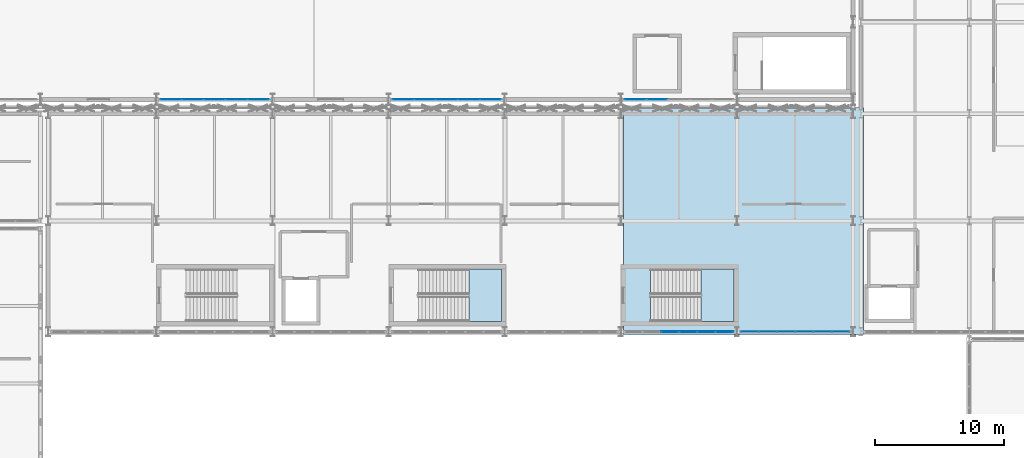
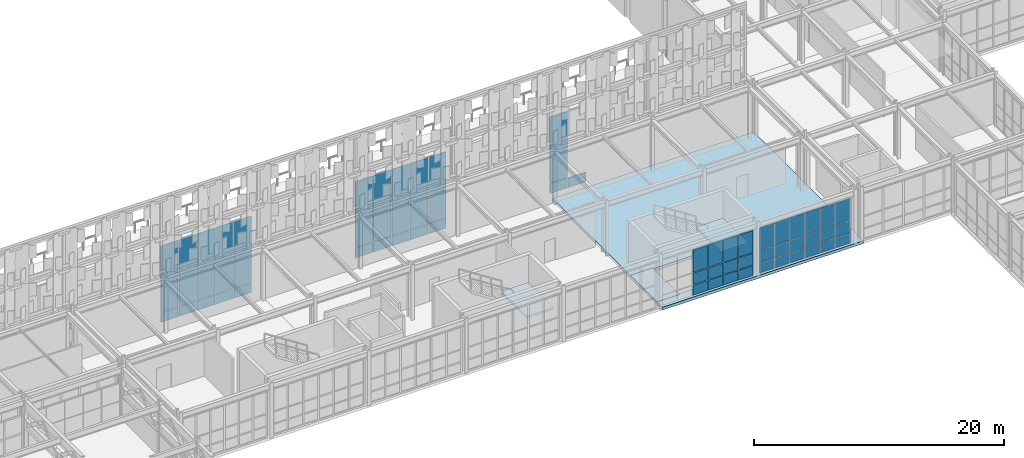
# One storey, part 138 of 210: 64 plates, 4 slabs, 7 elements without a shape of their own.
"""IFC4 building model written with IfcOpenShell, lengths in metres."""

from ifc_helpers import new_model, si_unit, direction, frame, origin, origin_2d, place, context, subcontext, project, spatial, polyline, rectangle, outline, extrude, material, layer, layer_set, type_object, element, aggregate, save


model = new_model("IFC4")

# Units and contexts
model_context = context("Model", 3, precision=1e-05, world=origin(), true_north=direction((0.0, 1.0)))
body_context = subcontext(model_context, "Body", "Model", "MODEL_VIEW")
ifc_project = project(units=[si_unit("LENGTHUNIT", "METRE"), si_unit("AREAUNIT", "SQUARE_METRE"), si_unit("VOLUMEUNIT", "CUBIC_METRE"), si_unit("PLANEANGLEUNIT", "RADIAN"), si_unit("MASSUNIT", "GRAM", prefix="KILO")], contexts=[model_context])

# Site, building, storey
site_placement = place(None, origin())
site = spatial("IfcSite", under=ifc_project, at=site_placement, CompositionType="ELEMENT")
building_placement = place(site_placement, origin())
building = spatial("IfcBuilding", under=site, at=building_placement, Name="Kaldris Quays Convention Centre", CompositionType="ELEMENT")
storey_placement = place(building_placement, frame((0.0, 0.0, 6.0)))
storey = spatial("IfcBuildingStorey", under=building, at=storey_placement, Name="L01", CompositionType="ELEMENT", Elevation=6.0)

# Curtain wall, plates
ifc_material_1 = material(Name="Anodized aluminium AW-6060 and triple glazing", Category="aluminium")
curtain_wall_type_1 = type_object("IfcCurtainWallType", Name="UNITISED CURTAIN WALL CW03", PredefinedType="NOTDEFINED", material=ifc_material_1)
curtain_wall_1_placement = place(storey_placement, origin())
curtain_wall_1 = element("IfcCurtainWall", 1, at=curtain_wall_1_placement, inside=storey, type_object=curtain_wall_type_1, Name="L01 Unitised Curtain Wall CW03 9", PredefinedType="NOTDEFINED")
ifc_material_2 = material(Name="Triple low-E insulated glazing", Category="glass")
plate_type_1 = type_object("IfcPlateType", Name="CURTAIN GLAZING PANEL CWP1", PredefinedType="CURTAIN_PANEL", material=ifc_material_2)
plate_1_placement = place(storey_placement, frame((93.114990234375, 56.0, 0.06005859375), z_axis=(0.0, 0.0, 1.0), x_axis=(1.0, 0.0, 0.0)))
plate_1 = element("IfcPlate", 2, at=plate_1_placement, type_object=plate_type_1, Name="CW03 panel 1.1", PredefinedType="CURTAIN_PANEL", context=body_context, shape_type="SweptSolid", body=[
    extrude(rectangle(XDim=1.610107421875, YDim=0.029052734375, at=origin_2d()), origin(), (0.0, 0.0, 1.0), 0.9599609375),
])
plate_2_placement = place(storey_placement, frame((93.114990234375, 56.0, 1.080078125), z_axis=(0.0, 0.0, 1.0), x_axis=(1.0, 0.0, 0.0)))
plate_2 = element("IfcPlate", 3, at=plate_2_placement, type_object=plate_type_1, Name="CW03 panel 1.2", PredefinedType="CURTAIN_PANEL", context=body_context, shape_type="SweptSolid", body=[
    extrude(rectangle(XDim=1.610107421875, YDim=0.029052734375, at=origin_2d()), origin(), (0.0, 0.0, 1.0), 2.68994140625),
])
plate_3_placement = place(storey_placement, frame((93.114990234375, 56.0, 3.830078125), z_axis=(0.0, 0.0, 1.0), x_axis=(1.0, 0.0, 0.0)))
plate_3 = element("IfcPlate", 4, at=plate_3_placement, type_object=plate_type_1, Name="CW03 panel 1.3", PredefinedType="CURTAIN_PANEL", context=body_context, shape_type="SweptSolid", body=[
    extrude(rectangle(XDim=1.610107421875, YDim=0.029052734375, at=origin_2d()), origin(), (0.0, 0.0, 1.0), 3.7099609375),
])
plate_4_placement = place(storey_placement, frame((94.800048828125, 56.0, 0.06005859375), z_axis=(0.0, 0.0, 1.0), x_axis=(1.0, 0.0, 0.0)))
plate_4 = element("IfcPlate", 5, at=plate_4_placement, type_object=plate_type_1, Name="CW03 panel 2.1", PredefinedType="CURTAIN_PANEL", context=body_context, shape_type="SweptSolid", body=[
    extrude(rectangle(XDim=1.639892578125, YDim=0.029052734375, at=origin_2d()), origin(), (0.0, 0.0, 1.0), 0.9599609375),
])
plate_5_placement = place(storey_placement, frame((94.800048828125, 56.0, 1.080078125), z_axis=(0.0, 0.0, 1.0), x_axis=(1.0, 0.0, 0.0)))
plate_5 = element("IfcPlate", 6, at=plate_5_placement, type_object=plate_type_1, Name="CW03 panel 2.2", PredefinedType="CURTAIN_PANEL", context=body_context, shape_type="SweptSolid", body=[
    extrude(rectangle(XDim=1.639892578125, YDim=0.029052734375, at=origin_2d()), origin(), (0.0, 0.0, 1.0), 2.68994140625),
])
plate_6_placement = place(storey_placement, frame((94.800048828125, 56.0, 3.830078125), z_axis=(0.0, 0.0, 1.0), x_axis=(1.0, 0.0, 0.0)))
plate_6 = element("IfcPlate", 7, at=plate_6_placement, type_object=plate_type_1, Name="CW03 panel 2.3", PredefinedType="CURTAIN_PANEL", context=body_context, shape_type="SweptSolid", body=[
    extrude(rectangle(XDim=1.639892578125, YDim=0.029052734375, at=origin_2d()), origin(), (0.0, 0.0, 1.0), 3.7099609375),
])
plate_7_placement = place(storey_placement, frame((96.5, 56.0, 0.06005859375), z_axis=(0.0, 0.0, 1.0), x_axis=(1.0, 0.0, 0.0)))
plate_7 = element("IfcPlate", 8, at=plate_7_placement, type_object=plate_type_1, Name="CW03 panel 3.1", PredefinedType="CURTAIN_PANEL", context=body_context, shape_type="SweptSolid", body=[
    extrude(rectangle(XDim=1.639892578125, YDim=0.029052734375, at=origin_2d()), origin(), (0.0, 0.0, 1.0), 0.9599609375),
])
plate_8_placement = place(storey_placement, frame((96.5, 56.0, 1.080078125), z_axis=(0.0, 0.0, 1.0), x_axis=(1.0, 0.0, 0.0)))
plate_8 = element("IfcPlate", 9, at=plate_8_placement, type_object=plate_type_1, Name="CW03 panel 3.2", PredefinedType="CURTAIN_PANEL", context=body_context, shape_type="SweptSolid", body=[
    extrude(rectangle(XDim=1.639892578125, YDim=0.029052734375, at=origin_2d()), origin(), (0.0, 0.0, 1.0), 2.68994140625),
])
plate_9_placement = place(storey_placement, frame((96.5, 56.0, 3.830078125), z_axis=(0.0, 0.0, 1.0), x_axis=(1.0, 0.0, 0.0)))
plate_9 = element("IfcPlate", 10, at=plate_9_placement, type_object=plate_type_1, Name="CW03 panel 3.3", PredefinedType="CURTAIN_PANEL", context=body_context, shape_type="SweptSolid", body=[
    extrude(rectangle(XDim=1.639892578125, YDim=0.029052734375, at=origin_2d()), origin(), (0.0, 0.0, 1.0), 3.7099609375),
])
plate_10_placement = place(storey_placement, frame((98.199951171875, 56.0, 0.06005859375), z_axis=(0.0, 0.0, 1.0), x_axis=(1.0, 0.0, 0.0)))
plate_10 = element("IfcPlate", 11, at=plate_10_placement, type_object=plate_type_1, Name="CW03 panel 4.1", PredefinedType="CURTAIN_PANEL", context=body_context, shape_type="SweptSolid", body=[
    extrude(rectangle(XDim=1.639892578125, YDim=0.029052734375, at=origin_2d()), origin(), (0.0, 0.0, 1.0), 0.9599609375),
])
plate_11_placement = place(storey_placement, frame((98.199951171875, 56.0, 1.080078125), z_axis=(0.0, 0.0, 1.0), x_axis=(1.0, 0.0, 0.0)))
plate_11 = element("IfcPlate", 12, at=plate_11_placement, type_object=plate_type_1, Name="CW03 panel 4.2", PredefinedType="CURTAIN_PANEL", context=body_context, shape_type="SweptSolid", body=[
    extrude(rectangle(XDim=1.639892578125, YDim=0.029052734375, at=origin_2d()), origin(), (0.0, 0.0, 1.0), 2.68994140625),
])
plate_12_placement = place(storey_placement, frame((98.199951171875, 56.0, 3.830078125), z_axis=(0.0, 0.0, 1.0), x_axis=(1.0, 0.0, 0.0)))
plate_12 = element("IfcPlate", 13, at=plate_12_placement, type_object=plate_type_1, Name="CW03 panel 4.3", PredefinedType="CURTAIN_PANEL", context=body_context, shape_type="SweptSolid", body=[
    extrude(rectangle(XDim=1.639892578125, YDim=0.029052734375, at=origin_2d()), origin(), (0.0, 0.0, 1.0), 3.7099609375),
])
plate_13_placement = place(storey_placement, frame((99.885009765625, 56.0, 0.06005859375), z_axis=(0.0, 0.0, 1.0), x_axis=(1.0, 0.0, 0.0)))
plate_13 = element("IfcPlate", 14, at=plate_13_placement, type_object=plate_type_1, Name="CW03 panel 5.1", PredefinedType="CURTAIN_PANEL", context=body_context, shape_type="SweptSolid", body=[
    extrude(rectangle(XDim=1.610107421875, YDim=0.029052734375, at=origin_2d()), origin(), (0.0, 0.0, 1.0), 0.9599609375),
])
plate_14_placement = place(storey_placement, frame((99.885009765625, 56.0, 1.080078125), z_axis=(0.0, 0.0, 1.0), x_axis=(1.0, 0.0, 0.0)))
plate_14 = element("IfcPlate", 15, at=plate_14_placement, type_object=plate_type_1, Name="CW03 panel 5.2", PredefinedType="CURTAIN_PANEL", context=body_context, shape_type="SweptSolid", body=[
    extrude(rectangle(XDim=1.610107421875, YDim=0.029052734375, at=origin_2d()), origin(), (0.0, 0.0, 1.0), 2.68994140625),
])
plate_15_placement = place(storey_placement, frame((99.885009765625, 56.0, 3.830078125), z_axis=(0.0, 0.0, 1.0), x_axis=(1.0, 0.0, 0.0)))
plate_15 = element("IfcPlate", 16, at=plate_15_placement, type_object=plate_type_1, Name="CW03 panel 5.3", PredefinedType="CURTAIN_PANEL", context=body_context, shape_type="SweptSolid", body=[
    extrude(rectangle(XDim=1.610107421875, YDim=0.029052734375, at=origin_2d()), origin(), (0.0, 0.0, 1.0), 3.7099609375),
])
aggregate(curtain_wall_1, [plate_1, plate_2, plate_3, plate_4, plate_5, plate_6, plate_7, plate_8, plate_9, plate_10, plate_11, plate_12, plate_13, plate_14, plate_15])

curtain_wall_type_2 = type_object("IfcCurtainWallType", Name="UNITISED CURTAIN WALL CW04", PredefinedType="NOTDEFINED", material=ifc_material_1)
curtain_wall_2_placement = place(storey_placement, origin())
curtain_wall_2 = element("IfcCurtainWall", 17, at=curtain_wall_2_placement, inside=storey, type_object=curtain_wall_type_2, Name="L01 Unitised Curtain Wall CW04 113", PredefinedType="NOTDEFINED")
plate_16_placement = place(storey_placement, frame((137.973388671875, 38.0, 0.06005859375), z_axis=(0.0, 0.0, 1.0), x_axis=(1.0, 0.0, 0.0)))
plate_16 = element("IfcPlate", 18, at=plate_16_placement, type_object=plate_type_1, Name="CW04 panel 1.1", PredefinedType="CURTAIN_PANEL", context=body_context, shape_type="SweptSolid", body=[
    extrude(rectangle(XDim=1.32666015625, YDim=0.029052734375, at=origin_2d()), origin(), (0.0, 0.0, 1.0), 0.9599609375),
])
plate_17_placement = place(storey_placement, frame((137.973388671875, 38.0, 1.080078125), z_axis=(0.0, 0.0, 1.0), x_axis=(1.0, 0.0, 0.0)))
plate_17 = element("IfcPlate", 19, at=plate_17_placement, type_object=plate_type_1, Name="CW04 panel 1.2", PredefinedType="CURTAIN_PANEL", context=body_context, shape_type="SweptSolid", body=[
    extrude(rectangle(XDim=1.32666015625, YDim=0.029052734375, at=origin_2d()), origin(), (0.0, 0.0, 1.0), 1.14892578125),
])
plate_18_placement = place(storey_placement, frame((137.973388671875, 38.0, 2.2890625), z_axis=(0.0, 0.0, 1.0), x_axis=(1.0, 0.0, 0.0)))
plate_18 = element("IfcPlate", 20, at=plate_18_placement, type_object=plate_type_1, Name="CW04 panel 1.3", PredefinedType="CURTAIN_PANEL", context=body_context, shape_type="SweptSolid", body=[
    extrude(rectangle(XDim=1.32666015625, YDim=0.029052734375, at=origin_2d()), origin(), (0.0, 0.0, 1.0), 2.1689453125),
])
plate_19_placement = place(storey_placement, frame((139.375, 38.0, 0.06005859375), z_axis=(0.0, 0.0, 1.0), x_axis=(1.0, 0.0, 0.0)))
plate_19 = element("IfcPlate", 21, at=plate_19_placement, type_object=plate_type_1, Name="CW04 panel 2.1", PredefinedType="CURTAIN_PANEL", context=body_context, shape_type="SweptSolid", body=[
    extrude(rectangle(XDim=1.356689453125, YDim=0.029052734375, at=origin_2d()), origin(), (0.0, 0.0, 1.0), 0.9599609375),
])
plate_20_placement = place(storey_placement, frame((139.375, 38.0, 1.080078125), z_axis=(0.0, 0.0, 1.0), x_axis=(1.0, 0.0, 0.0)))
plate_20 = element("IfcPlate", 22, at=plate_20_placement, type_object=plate_type_1, Name="CW04 panel 2.2", PredefinedType="CURTAIN_PANEL", context=body_context, shape_type="SweptSolid", body=[
    extrude(rectangle(XDim=1.356689453125, YDim=0.029052734375, at=origin_2d()), origin(), (0.0, 0.0, 1.0), 1.14892578125),
])
plate_21_placement = place(storey_placement, frame((139.375, 38.0, 2.2890625), z_axis=(0.0, 0.0, 1.0), x_axis=(1.0, 0.0, 0.0)))
plate_21 = element("IfcPlate", 23, at=plate_21_placement, type_object=plate_type_1, Name="CW04 panel 2.3", PredefinedType="CURTAIN_PANEL", context=body_context, shape_type="SweptSolid", body=[
    extrude(rectangle(XDim=1.356689453125, YDim=0.029052734375, at=origin_2d()), origin(), (0.0, 0.0, 1.0), 2.1689453125),
])
plate_22_placement = place(storey_placement, frame((140.791748046875, 38.0, 0.06005859375), z_axis=(0.0, 0.0, 1.0), x_axis=(1.0, 0.0, 0.0)))
plate_22 = element("IfcPlate", 24, at=plate_22_placement, type_object=plate_type_1, Name="CW04 panel 3.1", PredefinedType="CURTAIN_PANEL", context=body_context, shape_type="SweptSolid", body=[
    extrude(rectangle(XDim=1.356689453125, YDim=0.029052734375, at=origin_2d()), origin(), (0.0, 0.0, 1.0), 0.9599609375),
])
plate_23_placement = place(storey_placement, frame((140.791748046875, 38.0, 1.080078125), z_axis=(0.0, 0.0, 1.0), x_axis=(1.0, 0.0, 0.0)))
plate_23 = element("IfcPlate", 25, at=plate_23_placement, type_object=plate_type_1, Name="CW04 panel 3.2", PredefinedType="CURTAIN_PANEL", context=body_context, shape_type="SweptSolid", body=[
    extrude(rectangle(XDim=1.356689453125, YDim=0.029052734375, at=origin_2d()), origin(), (0.0, 0.0, 1.0), 1.14892578125),
])
plate_24_placement = place(storey_placement, frame((140.791748046875, 38.0, 2.2890625), z_axis=(0.0, 0.0, 1.0), x_axis=(1.0, 0.0, 0.0)))
plate_24 = element("IfcPlate", 26, at=plate_24_placement, type_object=plate_type_1, Name="CW04 panel 3.3", PredefinedType="CURTAIN_PANEL", context=body_context, shape_type="SweptSolid", body=[
    extrude(rectangle(XDim=1.356689453125, YDim=0.029052734375, at=origin_2d()), origin(), (0.0, 0.0, 1.0), 2.1689453125),
])
plate_25_placement = place(storey_placement, frame((142.208251953125, 38.0, 0.06005859375), z_axis=(0.0, 0.0, 1.0), x_axis=(1.0, 0.0, 0.0)))
plate_25 = element("IfcPlate", 27, at=plate_25_placement, type_object=plate_type_1, Name="CW04 panel 4.1", PredefinedType="CURTAIN_PANEL", context=body_context, shape_type="SweptSolid", body=[
    extrude(rectangle(XDim=1.356689453125, YDim=0.029052734375, at=origin_2d()), origin(), (0.0, 0.0, 1.0), 0.9599609375),
])
plate_26_placement = place(storey_placement, frame((142.208251953125, 38.0, 1.080078125), z_axis=(0.0, 0.0, 1.0), x_axis=(1.0, 0.0, 0.0)))
plate_26 = element("IfcPlate", 28, at=plate_26_placement, type_object=plate_type_1, Name="CW04 panel 4.2", PredefinedType="CURTAIN_PANEL", context=body_context, shape_type="SweptSolid", body=[
    extrude(rectangle(XDim=1.356689453125, YDim=0.029052734375, at=origin_2d()), origin(), (0.0, 0.0, 1.0), 1.14892578125),
])
plate_27_placement = place(storey_placement, frame((142.208251953125, 38.0, 2.2890625), z_axis=(0.0, 0.0, 1.0), x_axis=(1.0, 0.0, 0.0)))
plate_27 = element("IfcPlate", 29, at=plate_27_placement, type_object=plate_type_1, Name="CW04 panel 4.3", PredefinedType="CURTAIN_PANEL", context=body_context, shape_type="SweptSolid", body=[
    extrude(rectangle(XDim=1.356689453125, YDim=0.029052734375, at=origin_2d()), origin(), (0.0, 0.0, 1.0), 2.1689453125),
])
plate_28_placement = place(storey_placement, frame((143.625, 38.0, 0.06005859375), z_axis=(0.0, 0.0, 1.0), x_axis=(1.0, 0.0, 0.0)))
plate_28 = element("IfcPlate", 30, at=plate_28_placement, type_object=plate_type_1, Name="CW04 panel 5.1", PredefinedType="CURTAIN_PANEL", context=body_context, shape_type="SweptSolid", body=[
    extrude(rectangle(XDim=1.356689453125, YDim=0.029052734375, at=origin_2d()), origin(), (0.0, 0.0, 1.0), 0.9599609375),
])
plate_29_placement = place(storey_placement, frame((143.625, 38.0, 1.080078125), z_axis=(0.0, 0.0, 1.0), x_axis=(1.0, 0.0, 0.0)))
plate_29 = element("IfcPlate", 31, at=plate_29_placement, type_object=plate_type_1, Name="CW04 panel 5.2", PredefinedType="CURTAIN_PANEL", context=body_context, shape_type="SweptSolid", body=[
    extrude(rectangle(XDim=1.356689453125, YDim=0.029052734375, at=origin_2d()), origin(), (0.0, 0.0, 1.0), 1.14892578125),
])
plate_30_placement = place(storey_placement, frame((143.625, 38.0, 2.2890625), z_axis=(0.0, 0.0, 1.0), x_axis=(1.0, 0.0, 0.0)))
plate_30 = element("IfcPlate", 32, at=plate_30_placement, type_object=plate_type_1, Name="CW04 panel 5.3", PredefinedType="CURTAIN_PANEL", context=body_context, shape_type="SweptSolid", body=[
    extrude(rectangle(XDim=1.356689453125, YDim=0.029052734375, at=origin_2d()), origin(), (0.0, 0.0, 1.0), 2.1689453125),
])
plate_31_placement = place(storey_placement, frame((145.026611328125, 38.0, 0.06005859375), z_axis=(0.0, 0.0, 1.0), x_axis=(1.0, 0.0, 0.0)))
plate_31 = element("IfcPlate", 33, at=plate_31_placement, type_object=plate_type_1, Name="CW04 panel 6.1", PredefinedType="CURTAIN_PANEL", context=body_context, shape_type="SweptSolid", body=[
    extrude(rectangle(XDim=1.32666015625, YDim=0.029052734375, at=origin_2d()), origin(), (0.0, 0.0, 1.0), 0.9599609375),
])
plate_32_placement = place(storey_placement, frame((145.026611328125, 38.0, 1.080078125), z_axis=(0.0, 0.0, 1.0), x_axis=(1.0, 0.0, 0.0)))
plate_32 = element("IfcPlate", 34, at=plate_32_placement, type_object=plate_type_1, Name="CW04 panel 6.2", PredefinedType="CURTAIN_PANEL", context=body_context, shape_type="SweptSolid", body=[
    extrude(rectangle(XDim=1.32666015625, YDim=0.029052734375, at=origin_2d()), origin(), (0.0, 0.0, 1.0), 1.14892578125),
])
plate_33_placement = place(storey_placement, frame((145.026611328125, 38.0, 2.2890625), z_axis=(0.0, 0.0, 1.0), x_axis=(1.0, 0.0, 0.0)))
plate_33 = element("IfcPlate", 35, at=plate_33_placement, type_object=plate_type_1, Name="CW04 panel 6.3", PredefinedType="CURTAIN_PANEL", context=body_context, shape_type="SweptSolid", body=[
    extrude(rectangle(XDim=1.32666015625, YDim=0.029052734375, at=origin_2d()), origin(), (0.0, 0.0, 1.0), 2.1689453125),
])
aggregate(curtain_wall_2, [plate_16, plate_17, plate_18, plate_19, plate_20, plate_21, plate_22, plate_23, plate_24, plate_25, plate_26, plate_27, plate_28, plate_29, plate_30, plate_31, plate_32, plate_33])

curtain_wall_3_placement = place(storey_placement, origin())
curtain_wall_3 = element("IfcCurtainWall", 36, at=curtain_wall_3_placement, inside=storey, type_object=curtain_wall_type_1, Name="L01 Unitised Curtain Wall CW03 11", PredefinedType="NOTDEFINED")
plate_type_2 = type_object("IfcPlateType", Name="CURTAIN GLAZING PANEL CWP3", PredefinedType="CURTAIN_PANEL", material=ifc_material_2)
plate_34_placement = place(storey_placement, frame((111.114990234375, 56.0, 0.06005859375), z_axis=(0.0, 0.0, 1.0), x_axis=(1.0, 0.0, 0.0)))
plate_34 = element("IfcPlate", 37, at=plate_34_placement, type_object=plate_type_2, Name="CW03 panel 1.1", PredefinedType="CURTAIN_PANEL", context=body_context, shape_type="SweptSolid", body=[
    extrude(rectangle(XDim=1.610107421875, YDim=0.0390625, at=origin_2d()), origin(), (0.0, 0.0, 1.0), 0.9599609375),
])
plate_35_placement = place(storey_placement, frame((111.114990234375, 56.0, 1.080078125), z_axis=(0.0, 0.0, 1.0), x_axis=(1.0, 0.0, 0.0)))
plate_35 = element("IfcPlate", 38, at=plate_35_placement, type_object=plate_type_2, Name="CW03 panel 1.2", PredefinedType="CURTAIN_PANEL", context=body_context, shape_type="SweptSolid", body=[
    extrude(rectangle(XDim=1.610107421875, YDim=0.0390625, at=origin_2d()), origin(), (0.0, 0.0, 1.0), 2.68994140625),
])
plate_36_placement = place(storey_placement, frame((111.114990234375, 56.0, 3.830078125), z_axis=(0.0, 0.0, 1.0), x_axis=(1.0, 0.0, 0.0)))
plate_36 = element("IfcPlate", 39, at=plate_36_placement, type_object=plate_type_2, Name="CW03 panel 1.3", PredefinedType="CURTAIN_PANEL", context=body_context, shape_type="SweptSolid", body=[
    extrude(rectangle(XDim=1.610107421875, YDim=0.0390625, at=origin_2d()), origin(), (0.0, 0.0, 1.0), 3.7099609375),
])
plate_37_placement = place(storey_placement, frame((112.800048828125, 56.0, 0.06005859375), z_axis=(0.0, 0.0, 1.0), x_axis=(1.0, 0.0, 0.0)))
plate_37 = element("IfcPlate", 40, at=plate_37_placement, type_object=plate_type_2, Name="CW03 panel 2.1", PredefinedType="CURTAIN_PANEL", context=body_context, shape_type="SweptSolid", body=[
    extrude(rectangle(XDim=1.639892578125, YDim=0.0390625, at=origin_2d()), origin(), (0.0, 0.0, 1.0), 0.9599609375),
])
plate_38_placement = place(storey_placement, frame((112.800048828125, 56.0, 1.080078125), z_axis=(0.0, 0.0, 1.0), x_axis=(1.0, 0.0, 0.0)))
plate_38 = element("IfcPlate", 41, at=plate_38_placement, type_object=plate_type_2, Name="CW03 panel 2.2", PredefinedType="CURTAIN_PANEL", context=body_context, shape_type="SweptSolid", body=[
    extrude(rectangle(XDim=1.639892578125, YDim=0.0390625, at=origin_2d()), origin(), (0.0, 0.0, 1.0), 2.68994140625),
])
plate_39_placement = place(storey_placement, frame((112.800048828125, 56.0, 3.830078125), z_axis=(0.0, 0.0, 1.0), x_axis=(1.0, 0.0, 0.0)))
plate_39 = element("IfcPlate", 42, at=plate_39_placement, type_object=plate_type_2, Name="CW03 panel 2.3", PredefinedType="CURTAIN_PANEL", context=body_context, shape_type="SweptSolid", body=[
    extrude(rectangle(XDim=1.639892578125, YDim=0.0390625, at=origin_2d()), origin(), (0.0, 0.0, 1.0), 3.7099609375),
])
plate_40_placement = place(storey_placement, frame((114.5, 56.0, 0.06005859375), z_axis=(0.0, 0.0, 1.0), x_axis=(1.0, 0.0, 0.0)))
plate_40 = element("IfcPlate", 43, at=plate_40_placement, type_object=plate_type_2, Name="CW03 panel 3.1", PredefinedType="CURTAIN_PANEL", context=body_context, shape_type="SweptSolid", body=[
    extrude(rectangle(XDim=1.639892578125, YDim=0.0390625, at=origin_2d()), origin(), (0.0, 0.0, 1.0), 0.9599609375),
])
plate_41_placement = place(storey_placement, frame((114.5, 56.0, 1.080078125), z_axis=(0.0, 0.0, 1.0), x_axis=(1.0, 0.0, 0.0)))
plate_41 = element("IfcPlate", 44, at=plate_41_placement, type_object=plate_type_2, Name="CW03 panel 3.2", PredefinedType="CURTAIN_PANEL", context=body_context, shape_type="SweptSolid", body=[
    extrude(rectangle(XDim=1.639892578125, YDim=0.0390625, at=origin_2d()), origin(), (0.0, 0.0, 1.0), 2.68994140625),
])
plate_42_placement = place(storey_placement, frame((114.5, 56.0, 3.830078125), z_axis=(0.0, 0.0, 1.0), x_axis=(1.0, 0.0, 0.0)))
plate_42 = element("IfcPlate", 45, at=plate_42_placement, type_object=plate_type_2, Name="CW03 panel 3.3", PredefinedType="CURTAIN_PANEL", context=body_context, shape_type="SweptSolid", body=[
    extrude(rectangle(XDim=1.639892578125, YDim=0.0390625, at=origin_2d()), origin(), (0.0, 0.0, 1.0), 3.7099609375),
])
plate_43_placement = place(storey_placement, frame((116.199951171875, 56.0, 0.06005859375), z_axis=(0.0, 0.0, 1.0), x_axis=(1.0, 0.0, 0.0)))
plate_43 = element("IfcPlate", 46, at=plate_43_placement, type_object=plate_type_2, Name="CW03 panel 4.1", PredefinedType="CURTAIN_PANEL", context=body_context, shape_type="SweptSolid", body=[
    extrude(rectangle(XDim=1.639892578125, YDim=0.0390625, at=origin_2d()), origin(), (0.0, 0.0, 1.0), 0.9599609375),
])
plate_44_placement = place(storey_placement, frame((116.199951171875, 56.0, 1.080078125), z_axis=(0.0, 0.0, 1.0), x_axis=(1.0, 0.0, 0.0)))
plate_44 = element("IfcPlate", 47, at=plate_44_placement, type_object=plate_type_2, Name="CW03 panel 4.2", PredefinedType="CURTAIN_PANEL", context=body_context, shape_type="SweptSolid", body=[
    extrude(rectangle(XDim=1.639892578125, YDim=0.0390625, at=origin_2d()), origin(), (0.0, 0.0, 1.0), 2.68994140625),
])
plate_45_placement = place(storey_placement, frame((116.199951171875, 56.0, 3.830078125), z_axis=(0.0, 0.0, 1.0), x_axis=(1.0, 0.0, 0.0)))
plate_45 = element("IfcPlate", 48, at=plate_45_placement, type_object=plate_type_2, Name="CW03 panel 4.3", PredefinedType="CURTAIN_PANEL", context=body_context, shape_type="SweptSolid", body=[
    extrude(rectangle(XDim=1.639892578125, YDim=0.0390625, at=origin_2d()), origin(), (0.0, 0.0, 1.0), 3.7099609375),
])
plate_46_placement = place(storey_placement, frame((117.885009765625, 56.0, 0.06005859375), z_axis=(0.0, 0.0, 1.0), x_axis=(1.0, 0.0, 0.0)))
plate_46 = element("IfcPlate", 49, at=plate_46_placement, type_object=plate_type_2, Name="CW03 panel 5.1", PredefinedType="CURTAIN_PANEL", context=body_context, shape_type="SweptSolid", body=[
    extrude(rectangle(XDim=1.610107421875, YDim=0.0390625, at=origin_2d()), origin(), (0.0, 0.0, 1.0), 0.9599609375),
])
plate_47_placement = place(storey_placement, frame((117.885009765625, 56.0, 1.080078125), z_axis=(0.0, 0.0, 1.0), x_axis=(1.0, 0.0, 0.0)))
plate_47 = element("IfcPlate", 50, at=plate_47_placement, type_object=plate_type_2, Name="CW03 panel 5.2", PredefinedType="CURTAIN_PANEL", context=body_context, shape_type="SweptSolid", body=[
    extrude(rectangle(XDim=1.610107421875, YDim=0.0390625, at=origin_2d()), origin(), (0.0, 0.0, 1.0), 2.68994140625),
])
plate_48_placement = place(storey_placement, frame((117.885009765625, 56.0, 3.830078125), z_axis=(0.0, 0.0, 1.0), x_axis=(1.0, 0.0, 0.0)))
plate_48 = element("IfcPlate", 51, at=plate_48_placement, type_object=plate_type_2, Name="CW03 panel 5.3", PredefinedType="CURTAIN_PANEL", context=body_context, shape_type="SweptSolid", body=[
    extrude(rectangle(XDim=1.610107421875, YDim=0.0390625, at=origin_2d()), origin(), (0.0, 0.0, 1.0), 3.7099609375),
])
aggregate(curtain_wall_3, [plate_34, plate_35, plate_36, plate_37, plate_38, plate_39, plate_40, plate_41, plate_42, plate_43, plate_44, plate_45, plate_46, plate_47, plate_48])

curtain_wall_4_placement = place(storey_placement, origin())
curtain_wall_4 = element("IfcCurtainWall", 52, at=curtain_wall_4_placement, inside=storey, type_object=curtain_wall_type_1, Name="L01 Unitised Curtain Wall CW03 13", PredefinedType="NOTDEFINED")
plate_type_3 = type_object("IfcPlateType", Name="CURTAIN GLAZING PANEL CWP5", PredefinedType="CURTAIN_PANEL", material=ifc_material_2)
plate_49_placement = place(storey_placement, frame((129.114990234375, 56.0, 0.06005859375), z_axis=(0.0, 0.0, 1.0), x_axis=(1.0, 0.0, 0.0)))
plate_49 = element("IfcPlate", 53, at=plate_49_placement, type_object=plate_type_3, Name="CW03 panel 1.1", PredefinedType="CURTAIN_PANEL", context=body_context, shape_type="SweptSolid", body=[
    extrude(rectangle(XDim=1.610107421875, YDim=0.049072265625, at=origin_2d()), origin(), (0.0, 0.0, 1.0), 0.9599609375),
])
plate_50_placement = place(storey_placement, frame((129.114990234375, 56.0, 1.080078125), z_axis=(0.0, 0.0, 1.0), x_axis=(1.0, 0.0, 0.0)))
plate_50 = element("IfcPlate", 54, at=plate_50_placement, type_object=plate_type_3, Name="CW03 panel 1.2", PredefinedType="CURTAIN_PANEL", context=body_context, shape_type="SweptSolid", body=[
    extrude(rectangle(XDim=1.610107421875, YDim=0.049072265625, at=origin_2d()), origin(), (0.0, 0.0, 1.0), 2.68994140625),
])
plate_51_placement = place(storey_placement, frame((129.114990234375, 56.0, 3.830078125), z_axis=(0.0, 0.0, 1.0), x_axis=(1.0, 0.0, 0.0)))
plate_51 = element("IfcPlate", 55, at=plate_51_placement, type_object=plate_type_3, Name="CW03 panel 1.3", PredefinedType="CURTAIN_PANEL", context=body_context, shape_type="SweptSolid", body=[
    extrude(rectangle(XDim=1.610107421875, YDim=0.049072265625, at=origin_2d()), origin(), (0.0, 0.0, 1.0), 3.7099609375),
])
plate_52_placement = place(storey_placement, frame((130.800048828125, 56.0, 0.06005859375), z_axis=(0.0, 0.0, 1.0), x_axis=(1.0, 0.0, 0.0)))
plate_52 = element("IfcPlate", 56, at=plate_52_placement, type_object=plate_type_3, Name="CW03 panel 2.1", PredefinedType="CURTAIN_PANEL", context=body_context, shape_type="SweptSolid", body=[
    extrude(rectangle(XDim=1.639892578125, YDim=0.049072265625, at=origin_2d()), origin(), (0.0, 0.0, 1.0), 0.9599609375),
])
aggregate(curtain_wall_4, [plate_49, plate_50, plate_51, plate_52])

curtain_wall_5_placement = place(storey_placement, origin())
curtain_wall_5 = element("IfcCurtainWall", 57, at=curtain_wall_5_placement, inside=storey, type_object=curtain_wall_type_2, Name="L01 Unitised Curtain Wall CW04 112", PredefinedType="NOTDEFINED")
plate_type_4 = type_object("IfcPlateType", Name="CURTAIN GLAZING PANEL CWP8", PredefinedType="CURTAIN_PANEL", material=ifc_material_2)
plate_53_placement = place(storey_placement, frame((131.791748046875, 38.0, 0.06005859375), z_axis=(0.0, 0.0, 1.0), x_axis=(1.0, 0.0, 0.0)))
plate_53 = element("IfcPlate", 58, at=plate_53_placement, type_object=plate_type_4, Name="CW04 panel 3.1", PredefinedType="CURTAIN_PANEL", context=body_context, shape_type="SweptSolid", body=[
    extrude(rectangle(XDim=1.356689453125, YDim=0.06396484375, at=origin_2d()), origin(), (0.0, 0.0, 1.0), 0.9599609375),
])
plate_54_placement = place(storey_placement, frame((131.791748046875, 38.0, 1.080078125), z_axis=(0.0, 0.0, 1.0), x_axis=(1.0, 0.0, 0.0)))
plate_54 = element("IfcPlate", 59, at=plate_54_placement, type_object=plate_type_4, Name="CW04 panel 3.2", PredefinedType="CURTAIN_PANEL", context=body_context, shape_type="SweptSolid", body=[
    extrude(rectangle(XDim=1.356689453125, YDim=0.06396484375, at=origin_2d()), origin(), (0.0, 0.0, 1.0), 1.14892578125),
])
plate_55_placement = place(storey_placement, frame((131.791748046875, 38.0, 2.2890625), z_axis=(0.0, 0.0, 1.0), x_axis=(1.0, 0.0, 0.0)))
plate_55 = element("IfcPlate", 60, at=plate_55_placement, type_object=plate_type_4, Name="CW04 panel 3.3", PredefinedType="CURTAIN_PANEL", context=body_context, shape_type="SweptSolid", body=[
    extrude(rectangle(XDim=1.356689453125, YDim=0.06396484375, at=origin_2d()), origin(), (0.0, 0.0, 1.0), 2.1689453125),
])
plate_56_placement = place(storey_placement, frame((133.208251953125, 38.0, 0.06005859375), z_axis=(0.0, 0.0, 1.0), x_axis=(1.0, 0.0, 0.0)))
plate_56 = element("IfcPlate", 61, at=plate_56_placement, type_object=plate_type_4, Name="CW04 panel 4.1", PredefinedType="CURTAIN_PANEL", context=body_context, shape_type="SweptSolid", body=[
    extrude(rectangle(XDim=1.356689453125, YDim=0.06396484375, at=origin_2d()), origin(), (0.0, 0.0, 1.0), 0.9599609375),
])
plate_57_placement = place(storey_placement, frame((133.208251953125, 38.0, 1.080078125), z_axis=(0.0, 0.0, 1.0), x_axis=(1.0, 0.0, 0.0)))
plate_57 = element("IfcPlate", 62, at=plate_57_placement, type_object=plate_type_4, Name="CW04 panel 4.2", PredefinedType="CURTAIN_PANEL", context=body_context, shape_type="SweptSolid", body=[
    extrude(rectangle(XDim=1.356689453125, YDim=0.06396484375, at=origin_2d()), origin(), (0.0, 0.0, 1.0), 1.14892578125),
])
plate_58_placement = place(storey_placement, frame((133.208251953125, 38.0, 2.2890625), z_axis=(0.0, 0.0, 1.0), x_axis=(1.0, 0.0, 0.0)))
plate_58 = element("IfcPlate", 63, at=plate_58_placement, type_object=plate_type_4, Name="CW04 panel 4.3", PredefinedType="CURTAIN_PANEL", context=body_context, shape_type="SweptSolid", body=[
    extrude(rectangle(XDim=1.356689453125, YDim=0.06396484375, at=origin_2d()), origin(), (0.0, 0.0, 1.0), 2.1689453125),
])
plate_59_placement = place(storey_placement, frame((134.625, 38.0, 0.06005859375), z_axis=(0.0, 0.0, 1.0), x_axis=(1.0, 0.0, 0.0)))
plate_59 = element("IfcPlate", 64, at=plate_59_placement, type_object=plate_type_4, Name="CW04 panel 5.1", PredefinedType="CURTAIN_PANEL", context=body_context, shape_type="SweptSolid", body=[
    extrude(rectangle(XDim=1.356689453125, YDim=0.06396484375, at=origin_2d()), origin(), (0.0, 0.0, 1.0), 0.9599609375),
])
plate_60_placement = place(storey_placement, frame((134.625, 38.0, 1.080078125), z_axis=(0.0, 0.0, 1.0), x_axis=(1.0, 0.0, 0.0)))
plate_60 = element("IfcPlate", 65, at=plate_60_placement, type_object=plate_type_4, Name="CW04 panel 5.2", PredefinedType="CURTAIN_PANEL", context=body_context, shape_type="SweptSolid", body=[
    extrude(rectangle(XDim=1.356689453125, YDim=0.06396484375, at=origin_2d()), origin(), (0.0, 0.0, 1.0), 1.14892578125),
])
plate_61_placement = place(storey_placement, frame((134.625, 38.0, 2.2890625), z_axis=(0.0, 0.0, 1.0), x_axis=(1.0, 0.0, 0.0)))
plate_61 = element("IfcPlate", 66, at=plate_61_placement, type_object=plate_type_4, Name="CW04 panel 5.3", PredefinedType="CURTAIN_PANEL", context=body_context, shape_type="SweptSolid", body=[
    extrude(rectangle(XDim=1.356689453125, YDim=0.06396484375, at=origin_2d()), origin(), (0.0, 0.0, 1.0), 2.1689453125),
])
plate_62_placement = place(storey_placement, frame((136.026611328125, 38.0, 0.06005859375), z_axis=(0.0, 0.0, 1.0), x_axis=(1.0, 0.0, 0.0)))
plate_62 = element("IfcPlate", 67, at=plate_62_placement, type_object=plate_type_4, Name="CW04 panel 6.1", PredefinedType="CURTAIN_PANEL", context=body_context, shape_type="SweptSolid", body=[
    extrude(rectangle(XDim=1.32666015625, YDim=0.06396484375, at=origin_2d()), origin(), (0.0, 0.0, 1.0), 0.9599609375),
])
plate_63_placement = place(storey_placement, frame((136.026611328125, 38.0, 1.080078125), z_axis=(0.0, 0.0, 1.0), x_axis=(1.0, 0.0, 0.0)))
plate_63 = element("IfcPlate", 68, at=plate_63_placement, type_object=plate_type_4, Name="CW04 panel 6.2", PredefinedType="CURTAIN_PANEL", context=body_context, shape_type="SweptSolid", body=[
    extrude(rectangle(XDim=1.32666015625, YDim=0.06396484375, at=origin_2d()), origin(), (0.0, 0.0, 1.0), 1.14892578125),
])
plate_64_placement = place(storey_placement, frame((136.026611328125, 38.0, 2.2890625), z_axis=(0.0, 0.0, 1.0), x_axis=(1.0, 0.0, 0.0)))
plate_64 = element("IfcPlate", 69, at=plate_64_placement, type_object=plate_type_4, Name="CW04 panel 6.3", PredefinedType="CURTAIN_PANEL", context=body_context, shape_type="SweptSolid", body=[
    extrude(rectangle(XDim=1.32666015625, YDim=0.06396484375, at=origin_2d()), origin(), (0.0, 0.0, 1.0), 2.1689453125),
])
aggregate(curtain_wall_5, [plate_53, plate_54, plate_55, plate_56, plate_57, plate_58, plate_59, plate_60, plate_61, plate_62, plate_63, plate_64])

# Stair, slab
ifc_material_3 = material(Name="Concrete C35/45", Category="concrete")
stair_type = type_object("IfcStairType", Name="DOGLEG ESCAPE STAIR STF1", PredefinedType="TWO_STRAIGHT_RUN_STAIR", material=ifc_material_3)
stair_1_placement = place(storey_placement, origin())
stair_1 = element("IfcStair", 70, at=stair_1_placement, inside=storey, type_object=stair_type, Name="L01 Escape Stair ST12", PredefinedType="TWO_STRAIGHT_RUN_STAIR")
ifc_layer_1 = layer(ifc_material_3, 0.205078125)
ifc_layer_set_1 = layer_set([ifc_layer_1], Name="Concrete C35/45")
slab_type_1 = type_object("IfcSlabType", Name="STAIR LANDING SLAB LS01", PredefinedType="LANDING", material=ifc_layer_set_1)
slab_1_placement = place(storey_placement, frame((0.0, 0.0, 2.4951171875)))
slab_1 = element("IfcSlab", 71, at=slab_1_placement, type_object=slab_type_1, Name="STF1 landing 1", PredefinedType="LANDING", context=body_context, shape_type="SweptSolid", body=[
    extrude(outline(polyline([(134.219970703125, 38.800048828125), (136.75, 38.800048828125), (136.75, 42.85009765625), (134.219970703125, 42.85009765625), (134.219970703125, 38.800048828125)])), origin(), (0.0, 0.0, 1.0), 0.204833984375),
])
aggregate(stair_1, [slab_1])

stair_2_placement = place(storey_placement, origin())
stair_2 = element("IfcStair", 72, at=stair_2_placement, inside=storey, type_object=stair_type, Name="L01 Escape Stair ST13", PredefinedType="TWO_STRAIGHT_RUN_STAIR")
slab_2_placement = place(storey_placement, frame((0.0, 0.0, 2.4951171875)))
slab_2 = element("IfcSlab", 73, at=slab_2_placement, type_object=slab_type_1, Name="STF1 landing 1", PredefinedType="LANDING", context=body_context, shape_type="SweptSolid", body=[
    extrude(outline(polyline([(116.219970703125, 38.800048828125), (118.75, 38.800048828125), (118.75, 42.85009765625), (116.219970703125, 42.85009765625), (116.219970703125, 38.800048828125)])), origin(), (0.0, 0.0, 1.0), 0.204833984375),
])
aggregate(stair_2, [slab_2])

# Slabs
ifc_layer_2 = layer(ifc_material_3, 0.27490234375)
ifc_layer_set_2 = layer_set([ifc_layer_2], Name="Concrete C35/45")
slab_type_2 = type_object("IfcSlabType", Name="STRUCTURAL SLAB FS05", PredefinedType="FLOOR", material=ifc_layer_set_2)
slab_3_placement = place(storey_placement, frame((0.0, 0.0, -0.27490234375)))
element("IfcSlab", 74, at=slab_3_placement, inside=storey, type_object=slab_type_2, Name="L01 ST12 Core Floor Landing Slab", PredefinedType="FLOOR", context=body_context, shape_type="SweptSolid", body=[
    extrude(outline(polyline([(128.22998046875, 38.679931640625), (130.300048828125, 38.679931640625), (130.300048828125, 42.969970703125), (128.22998046875, 42.969970703125), (128.22998046875, 38.679931640625)])), origin(), (0.0, 0.0, 1.0), 0.27490234375),
])
slab_4_placement = place(storey_placement, frame((0.0, 0.0, -0.27490234375)))
element("IfcSlab", 75, at=slab_4_placement, inside=storey, type_object=slab_type_2, Name="L01 V4 L01 South 3 SLAB-L01-V4S-3", PredefinedType="FLOOR", context=body_context, shape_type="SweptSolid", body=[
    extrude(outline(polyline([(146.800048828125, 55.375), (146.800048828125, 37.800048828125), (128.201904296875, 37.800048828125), (128.201904296875, 55.375), (146.800048828125, 55.375)]), holes=[polyline([(130.30078125, 42.9716796875), (128.228271484375, 42.970947265625), (128.22900390625, 38.67822265625), (130.30029296875, 38.677978515625), (130.302001953125, 38.800048828125), (136.75, 38.800048828125), (136.75, 42.85009765625), (130.302001953125, 42.85009765625), (130.30078125, 42.9716796875)])]), origin(), (0.0, 0.0, 1.0), 0.27490234375),
])

save(model, "model.ifc")
